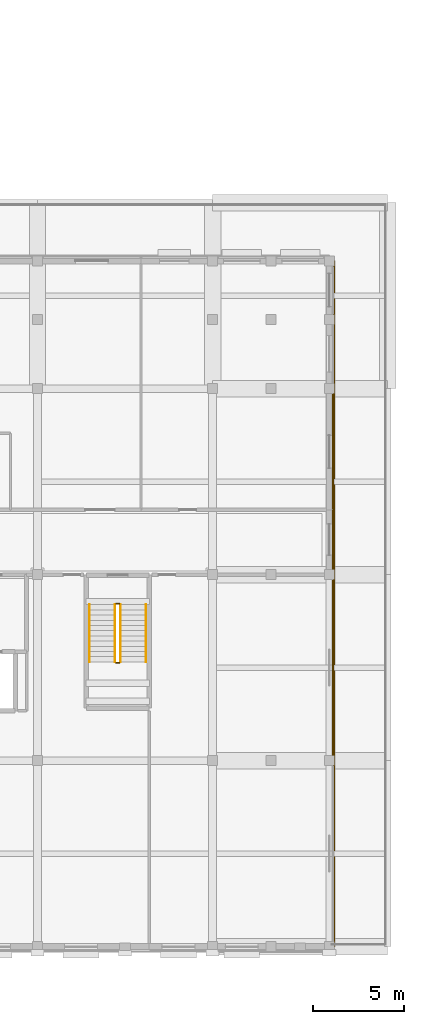
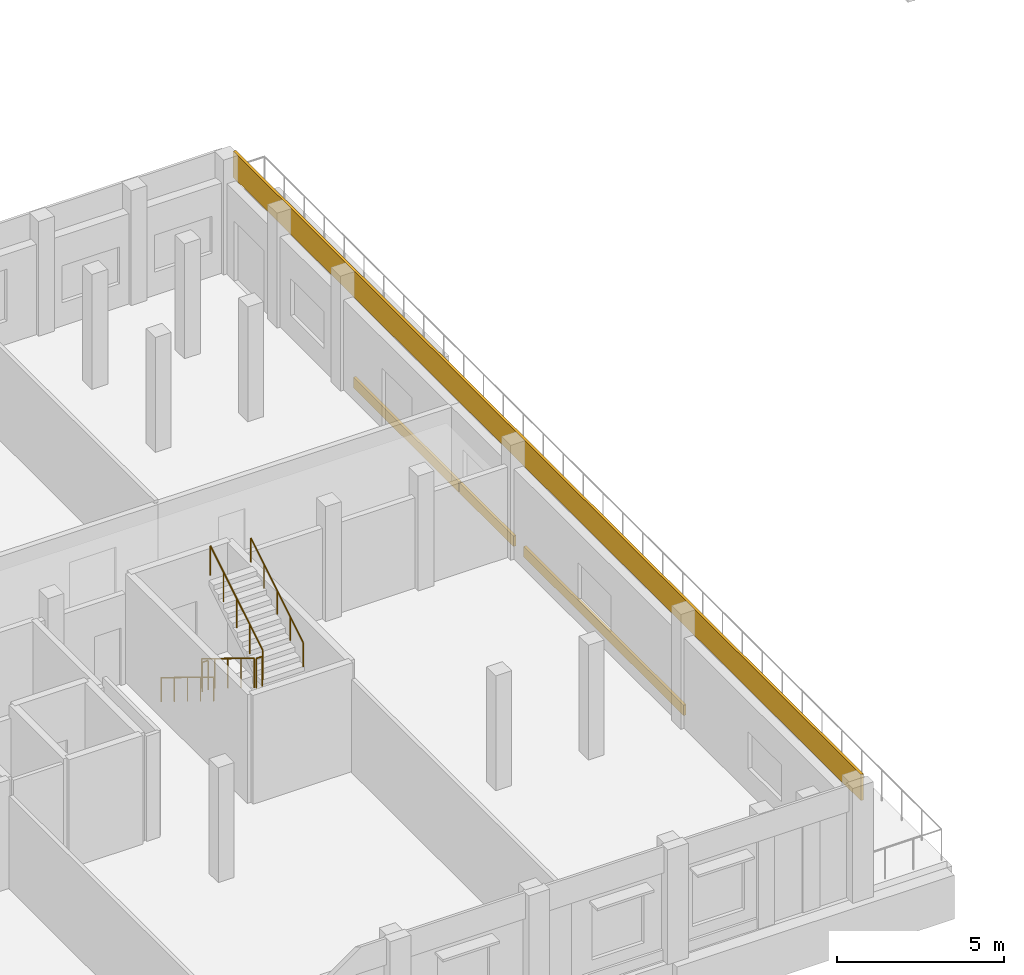
# One storey, part 68 of 70: 6 railings, 4 coverings.
"""IFC4 building model written with IfcOpenShell, lengths in metres."""

import ifcopenshell
import ifcopenshell.guid

model = None  # the IFC model being written
_history = None  # IfcOwnerHistory: only IFC2X3 demands one
_inside = {}  # id of a spatial element -> (the spatial element, [elements in it])
_under = {}  # id of a project, library or spatial element -> (it, [spatial elements below it])
_declared = {}  # id of a project -> (the project, [libraries it declares])
_typed = {}  # id of a type object -> (the type object, [elements of that type])
_made_of = {}  # id of a material, layer set ... -> (it, [elements and type objects made of it])


def new_model(schema):
    """Start an empty IFC model of exactly this schema.

    Asked for "IFC4X3", IfcOpenShell would pick the latest addendum, in which some entities
    have other attributes; the version numbers below select the first issue.
    IFC2X3 requires an IfcOwnerHistory on every rooted entity: one is made here for all.
    """
    global model, _history
    if schema == "IFC4X3":
        model = ifcopenshell.file(schema_version=(4, 3, 0, 0))
    else:
        model = ifcopenshell.file(schema=schema)
    _inside.clear()
    _under.clear()
    _declared.clear()
    _typed.clear()
    _made_of.clear()
    _history = None
    if model.schema == "IFC2X3":
        org = make("IfcOrganization", Name="unknown")
        user = make(
            "IfcPersonAndOrganization",
            ThePerson=make("IfcPerson", FamilyName="unknown"),
            TheOrganization=org,
        )
        app = make(
            "IfcApplication",
            ApplicationDeveloper=org,
            Version="unknown",
            ApplicationFullName="unknown",
            ApplicationIdentifier="unknown",
        )
        _history = make(
            "IfcOwnerHistory",
            OwningUser=user,
            OwningApplication=app,
            ChangeAction="ADDED",
            CreationDate=0,
        )
    return model


def make(cls, **values):
    """One entity of the class cls with the attributes given. An attribute that is None is left unset."""
    return model.create_entity(
        cls, **{name: value for name, value in values.items() if value is not None}
    )


def rooted(cls, **values):
    """An entity with a GlobalId (a new one), such as an element, a storey or a relation."""
    return make(cls, GlobalId=ifcopenshell.guid.new(), OwnerHistory=_history, **values)


def si_unit(unit_type, name, prefix=None):
    """IfcSIUnit, for example si_unit("LENGTHUNIT", "METRE", prefix="MILLI")."""
    return make("IfcSIUnit", UnitType=unit_type, Prefix=prefix, Name=name)


def assignment(units):
    """IfcUnitAssignment: the units of a project."""
    return None if units is None else make("IfcUnitAssignment", Units=units)


def point(xyz):
    """IfcCartesianPoint."""
    return None if xyz is None else make("IfcCartesianPoint", Coordinates=xyz)


def direction(xyz):
    """IfcDirection."""
    return None if xyz is None else make("IfcDirection", DirectionRatios=xyz)


def frame(location, z_axis=None, x_axis=None):
    """IfcAxis2Placement3D, a coordinate frame: its origin and axes. An axis left out is left unset."""
    return make(
        "IfcAxis2Placement3D",
        Location=point(location),
        Axis=direction(z_axis),
        RefDirection=direction(x_axis),
    )


def frame_2d(location, x_axis=None):
    """IfcAxis2Placement2D, a coordinate frame in the plane: its origin and x axis."""
    return make(
        "IfcAxis2Placement2D", Location=point(location), RefDirection=direction(x_axis)
    )


def origin():
    """The frame at (0, 0, 0) with its axes left unset."""
    return frame((0.0, 0.0, 0.0))


def origin_2d():
    """The frame at (0, 0) in the plane with its x axis left unset."""
    return frame_2d((0.0, 0.0))


def place(relative_to, where):
    """IfcLocalPlacement: puts the frame where relative to a parent placement (None: the world)."""
    return make(
        "IfcLocalPlacement", PlacementRelTo=relative_to, RelativePlacement=where
    )


def context(
    kind, dimensions, precision=None, world=None, true_north=None, identifier=None
):
    """IfcGeometricRepresentationContext, for example the 3D "Model" context."""
    return make(
        "IfcGeometricRepresentationContext",
        ContextIdentifier=identifier,
        ContextType=kind,
        CoordinateSpaceDimension=dimensions,
        Precision=precision,
        WorldCoordinateSystem=world,
        TrueNorth=true_north,
    )


def subcontext(parent, identifier, kind, view, scale=None):
    """IfcGeometricRepresentationSubContext, for example "Body" below "Model"."""
    return make(
        "IfcGeometricRepresentationSubContext",
        ContextIdentifier=identifier,
        ContextType=kind,
        ParentContext=parent,
        TargetScale=scale,
        TargetView=view,
    )


def project(units=None, contexts=None):
    """IfcProject with its units and contexts."""
    return rooted(
        "IfcProject",
        Name="project",
        RepresentationContexts=contexts,
        UnitsInContext=assignment(units),
    )


def spatial(cls, under=None, at=None, **own):
    """A site, building, storey or space (cls), placed at a placement, below another one or the project."""
    s = rooted(cls, ObjectPlacement=at, **own)
    if under is not None:
        _under.setdefault(under.id(), (under, []))[1].append(s)
    return s


def profile(cls, at=None, kind="AREA", **sizes):
    """A parametric profile (cls). Its sizes go by their IFC names, for example OverallWidth=200.0."""
    return make(cls, ProfileType=kind, Position=at, **sizes)


def rectangle(**sizes):
    """IfcRectangleProfileDef."""
    return profile("IfcRectangleProfileDef", **sizes)


def circle(**sizes):
    """IfcCircleProfileDef."""
    return profile("IfcCircleProfileDef", **sizes)


def extrude(swept, where, along, depth):
    """IfcExtrudedAreaSolid: the profile swept, set in the frame where, extruded along a direction by depth."""
    return make(
        "IfcExtrudedAreaSolid",
        SweptArea=swept,
        Position=where,
        ExtrudedDirection=direction(along),
        Depth=depth,
    )


def shape(context_of_items, identifier, shape_type, items):
    """IfcShapeRepresentation: the items that make up one representation, for example the "Body"."""
    return make(
        "IfcShapeRepresentation",
        ContextOfItems=context_of_items,
        RepresentationIdentifier=identifier,
        RepresentationType=shape_type,
        Items=items,
    )


def material(Name=None, Category=None):
    """IfcMaterial."""
    return make("IfcMaterial", Name=Name, Category=Category)


def layer(
    of_material, thickness, ventilated=None, Name=None, Category=None, Priority=None
):
    """IfcMaterialLayer: one layer of a wall or slab, of a material (None: an air gap)."""
    return make(
        "IfcMaterialLayer",
        Material=of_material,
        LayerThickness=thickness,
        IsVentilated=ventilated,
        Name=Name,
        Category=Category,
        Priority=Priority,
    )


def layer_set(layers, Name=None):
    """IfcMaterialLayerSet."""
    return make("IfcMaterialLayerSet", MaterialLayers=layers, LayerSetName=Name)


def made_of(thing, what):
    """Note that an element or type object is made of a material, layer set ...; save() writes the relation."""
    if what is not None:
        _made_of.setdefault(what.id(), (what, []))[1].append(thing)
    return thing


def type_object(cls, material=None, **own):
    """A type object (cls), such as IfcWallType, which elements share."""
    return made_of(rooted(cls, **own), material)


def element(
    cls,
    number,
    at=None,
    inside=None,
    cuts=None,
    type_object=None,
    material=None,
    context=None,
    identifier="Body",
    shape_type=None,
    held_by="IfcProductDefinitionShape",
    body=None,
    shapes=None,
    **own,
):
    """One element of the class cls, such as IfcWall. Its Tag is "e" and its number.

    at: its placement. inside: the storey or other place that contains it. cuts: it is an
    opening in that element (IfcRelVoidsElement). A single representation is given by context,
    identifier, shape_type and body (its items); several are given by shapes. held_by: the class
    of the entity that holds the representations. save() writes the other relations.
    """
    e = rooted(cls, Tag="e%d" % number, ObjectPlacement=at, **own)
    if body is not None:
        shapes = [shape(context, identifier, shape_type, body)]
    if shapes is not None:
        e.Representation = make(held_by, Representations=shapes)
    if inside is not None:
        _inside.setdefault(inside.id(), (inside, []))[1].append(e)
    if cuts is not None:
        rooted(
            "IfcRelVoidsElement", RelatingBuildingElement=cuts, RelatedOpeningElement=e
        )
    if type_object is not None:
        _typed.setdefault(type_object.id(), (type_object, []))[1].append(e)
    return made_of(e, material)


def aggregate(whole, parts):
    """IfcRelAggregates: a whole, such as a stair, and the parts it consists of."""
    return rooted("IfcRelAggregates", RelatingObject=whole, RelatedObjects=parts)


def save(model, path):
    """Write the relations noted so far, then the file.

    IfcRelAggregates (storeys below a building ...), IfcRelContainedInSpatialStructure (elements
    in a storey), IfcRelDefinesByType, IfcRelAssociatesMaterial and IfcRelDeclares: one each for
    every whole, place, type object, material and project.
    """
    for whole, parts in _under.values():
        aggregate(whole, parts)
    for where, things in _inside.values():
        rooted(
            "IfcRelContainedInSpatialStructure",
            RelatedElements=things,
            RelatingStructure=where,
        )
    for kind, things in _typed.values():
        rooted("IfcRelDefinesByType", RelatedObjects=things, RelatingType=kind)
    for what, things in _made_of.values():
        rooted("IfcRelAssociatesMaterial", RelatedObjects=things, RelatingMaterial=what)
    for by, libraries in _declared.values():
        rooted("IfcRelDeclares", RelatingContext=by, RelatedDefinitions=libraries)
    model.write(path)


model = new_model("IFC4")

# Units and contexts
model_context = context("Model", 3, precision=1e-05, world=origin(), true_north=direction((0.0, 1.0)))
body_context = subcontext(model_context, "Body", "Model", "MODEL_VIEW")
ifc_project = project(units=[si_unit("LENGTHUNIT", "METRE"), si_unit("AREAUNIT", "SQUARE_METRE"), si_unit("VOLUMEUNIT", "CUBIC_METRE"), si_unit("PLANEANGLEUNIT", "RADIAN"), si_unit("MASSUNIT", "GRAM", prefix="KILO")], contexts=[model_context])

# Site, building, storey
site_placement = place(None, origin())
site = spatial("IfcSite", under=ifc_project, at=site_placement, CompositionType="ELEMENT")
building_placement = place(site_placement, origin())
building = spatial("IfcBuilding", under=site, at=building_placement, Name="Vondelvale Polytechnic", CompositionType="ELEMENT")
storey_placement = place(building_placement, frame((0.0, 0.0, 22.199951171875)))
storey = spatial("IfcBuildingStorey", under=building, at=storey_placement, Name="L05", CompositionType="ELEMENT", Elevation=22.199951171875)

# Coverings
ifc_material_1 = material(Name="Amsterdam School iron-spot clinker clay brickwork", Category="masonry")
ifc_layer_1 = layer(ifc_material_1, 0.090087890625)
ifc_layer_set_1 = layer_set([ifc_layer_1], Name="COV-BRICK-RELIEF")
covering_type = type_object("IfcCoveringType", Name="COV-BRICK-RELIEF", PredefinedType="CLADDING", material=ifc_layer_set_1)
covering_1_placement = place(storey_placement, frame((45.06494140625, 18.800048828125, 3.239990234375), z_axis=(0.0, 0.0, 1.0), x_axis=(0.0, 1.0, 0.0)))
element("IfcCovering", 1, at=covering_1_placement, inside=storey, type_object=covering_type, Name="L05 exterior masonry spandrel band", PredefinedType="CLADDING", context=body_context, shape_type="SweptSolid", body=[
    extrude(rectangle(XDim=37.60009765625, YDim=0.090087890625, at=origin_2d()), origin(), (0.0, 0.0, 1.0), 0.9599609375),
])
covering_2_placement = place(storey_placement, frame((45.0009765625, 15.300048828125, 0.0), z_axis=(0.0, 0.0, 1.0), x_axis=(0.0, -1.0, 0.0)))
element("IfcCovering", 2, at=covering_2_placement, inside=storey, type_object=covering_type, Name="L05 exterior corbelled masonry relief band", PredefinedType="CLADDING", context=body_context, shape_type="SweptSolid", body=[
    extrude(rectangle(XDim=9.587890625, YDim=0.090087890625, at=origin_2d()), origin(), (0.0, 0.0, 1.0), 0.3798828125),
])
covering_3_placement = place(storey_placement, frame((45.0009765625, 22.31298828125, 0.0), z_axis=(0.0, 0.0, 1.0), x_axis=(0.0, -1.0, 0.0)))
element("IfcCovering", 3, at=covering_3_placement, inside=storey, type_object=covering_type, Name="L05 exterior corbelled masonry relief band", PredefinedType="CLADDING", context=body_context, shape_type="SweptSolid", body=[
    extrude(rectangle(XDim=3.214111328125, YDim=0.090087890625, at=origin_2d()), origin(), (0.0, 0.0, 1.0), 0.3798828125),
])
covering_4_placement = place(storey_placement, frame((45.0009765625, 27.136962890625, 0.0), z_axis=(0.0, 0.0, 1.0), x_axis=(0.0, -1.0, 0.0)))
element("IfcCovering", 4, at=covering_4_placement, inside=storey, type_object=covering_type, Name="L05 exterior corbelled masonry relief band", PredefinedType="CLADDING", context=body_context, shape_type="SweptSolid", body=[
    extrude(rectangle(XDim=6.31396484375, YDim=0.090087890625, at=origin_2d()), origin(), (0.0, 0.0, 1.0), 0.3798828125),
])

# Railings
ifc_material_2 = material(Name="Brushed architectural stainless and zinc-coated metal")
ifc_layer_2 = layer(ifc_material_2, 0.050048828125)
ifc_layer_set_2 = layer_set([ifc_layer_2], Name="RL-STAIR-GUARD")
railing_type_1 = type_object("IfcRailingType", Name="RL-STAIR-GUARD", PredefinedType="GUARDRAIL", material=ifc_layer_set_2)
railing_1_placement = place(storey_placement, frame((33.050048828125, 18.75, 0.175048828125)))
element("IfcRailing", 5, at=railing_1_placement, inside=storey, type_object=railing_type_1, Name="L05 ST-04 stair guard 1", PredefinedType="GUARDRAIL", context=body_context, shape_type="SweptSolid", body=[
    extrude(circle(Radius=0.02392578125, at=origin_2d()), frame((0.0, 0.0, 1.076171875), z_axis=(0.0, -0.852166034122, 0.523271488128), x_axis=(1.0, 0.0, 0.0)), (0.0, 0.0, 1.0), 3.678955078125),
    extrude(circle(Radius=0.02099609375, at=origin_2d()), origin(), (0.0, 0.0, 1.0), 1.052001953125),
    extrude(circle(Radius=0.02099609375, at=origin_2d()), frame((0.0, -0.78369140625, 0.481201171875)), (0.0, 0.0, 1.0), 1.052001953125),
    extrude(circle(Radius=0.02099609375, at=origin_2d()), frame((0.0, -1.5673828125, 0.96240234375)), (0.0, 0.0, 1.0), 1.052001953125),
    extrude(circle(Radius=0.02099609375, at=origin_2d()), frame((0.0, -2.351318359375, 1.44384765625)), (0.0, 0.0, 1.0), 1.052001953125),
    extrude(circle(Radius=0.02099609375, at=origin_2d()), frame((0.0, -3.135009765625, 1.925048828125)), (0.0, 0.0, 1.0), 1.052001953125),
])
railing_2_placement = place(storey_placement, frame((33.10009765625, 15.56494140625, 2.10009765625)))
element("IfcRailing", 6, at=railing_2_placement, inside=storey, type_object=railing_type_1, Name="L05 ST-04 stair guard 2", PredefinedType="GUARDRAIL", context=body_context, shape_type="SweptSolid", body=[
    extrude(circle(Radius=0.02392578125, at=origin_2d()), frame((0.0, 0.0, 1.076171875), z_axis=(1.0, 0.0, 0.0), x_axis=(0.0, 1.0, 0.0)), (0.0, 0.0, 1.0), 0.199951171875),
    extrude(circle(Radius=0.02099609375, at=origin_2d()), origin(), (0.0, 0.0, 1.0), 1.052001953125),
    extrude(circle(Radius=0.02099609375, at=origin_2d()), frame((0.199951171875, 0.0, 0.0)), (0.0, 0.0, 1.0), 1.052001953125),
])
railing_3_placement = place(storey_placement, frame((33.35009765625, 15.614990234375, 2.275146484375)))
element("IfcRailing", 7, at=railing_3_placement, inside=storey, type_object=railing_type_1, Name="L05 ST-04 stair guard 3", PredefinedType="GUARDRAIL", context=body_context, shape_type="SweptSolid", body=[
    extrude(circle(Radius=0.02392578125, at=origin_2d()), frame((0.0, 0.0, 1.076171875), z_axis=(0.0, 0.852195625947, 0.523223293744), x_axis=(-1.0, 0.0, 0.0)), (0.0, 0.0, 1.0), 3.6787109375),
    extrude(circle(Radius=0.02099609375, at=origin_2d()), origin(), (0.0, 0.0, 1.0), 1.052001953125),
    extrude(circle(Radius=0.02099609375, at=origin_2d()), frame((0.0, 0.78369140625, 0.481201171875)), (0.0, 0.0, 1.0), 1.052001953125),
    extrude(circle(Radius=0.02099609375, at=origin_2d()), frame((0.0, 1.5673828125, 0.96240234375)), (0.0, 0.0, 1.0), 1.052001953125),
    extrude(circle(Radius=0.02099609375, at=origin_2d()), frame((0.0, 2.351318359375, 1.443603515625)), (0.0, 0.0, 1.0), 1.052001953125),
    extrude(circle(Radius=0.02099609375, at=origin_2d()), frame((0.0, 3.135009765625, 1.9248046875)), (0.0, 0.0, 1.0), 1.052001953125),
])
railing_4_placement = place(storey_placement, frame((33.10009765625, 18.800048828125, 0.0)))
element("IfcRailing", 8, at=railing_4_placement, inside=storey, type_object=railing_type_1, Name="L05 ST-04 stair guard 4", PredefinedType="GUARDRAIL", context=body_context, shape_type="SweptSolid", body=[
    extrude(circle(Radius=0.02392578125, at=origin_2d()), frame((0.0, 0.0, 1.076171875), z_axis=(1.0, 0.0, 0.0), x_axis=(0.0, 1.0, 0.0)), (0.0, 0.0, 1.0), 0.199951171875),
    extrude(circle(Radius=0.02099609375, at=origin_2d()), origin(), (0.0, 0.0, 1.0), 1.052001953125),
    extrude(circle(Radius=0.02099609375, at=origin_2d()), frame((0.199951171875, 0.0, 0.0)), (0.0, 0.0, 1.0), 1.052001953125),
])
ifc_layer_3 = layer(ifc_material_2, 0.048095703125)
ifc_layer_set_3 = layer_set([ifc_layer_3], Name="RL-STAIR-HANDRAIL")
railing_type_2 = type_object("IfcRailingType", Name="RL-STAIR-HANDRAIL", PredefinedType="HANDRAIL", material=ifc_layer_set_3)
railing_5_placement = place(storey_placement, frame((31.64990234375, 18.75, 0.175048828125)))
element("IfcRailing", 9, at=railing_5_placement, inside=storey, type_object=railing_type_2, Name="L05 ST-04 stair handrail 1", PredefinedType="HANDRAIL", context=body_context, shape_type="SweptSolid", body=[
    extrude(circle(Radius=0.02392578125, at=origin_2d()), frame((0.0, 0.0, 0.8759765625), z_axis=(0.0, -0.852166034122, 0.523271488128), x_axis=(1.0, 0.0, 0.0)), (0.0, 0.0, 1.0), 3.678955078125),
    extrude(circle(Radius=0.02099609375, at=origin_2d()), origin(), (0.0, 0.0, 1.0), 0.851806640625),
    extrude(circle(Radius=0.02099609375, at=origin_2d()), frame((0.0, -0.78369140625, 0.481201171875)), (0.0, 0.0, 1.0), 0.851806640625),
    extrude(circle(Radius=0.02099609375, at=origin_2d()), frame((0.0, -1.5673828125, 0.96240234375)), (0.0, 0.0, 1.0), 0.851806640625),
    extrude(circle(Radius=0.02099609375, at=origin_2d()), frame((0.0, -2.351318359375, 1.44384765625)), (0.0, 0.0, 1.0), 0.851806640625),
    extrude(circle(Radius=0.02099609375, at=origin_2d()), frame((0.0, -3.135009765625, 1.925048828125)), (0.0, 0.0, 1.0), 0.851806640625),
])
railing_6_placement = place(storey_placement, frame((34.75, 15.614990234375, 2.275146484375)))
element("IfcRailing", 10, at=railing_6_placement, inside=storey, type_object=railing_type_2, Name="L05 ST-04 stair handrail 2", PredefinedType="HANDRAIL", context=body_context, shape_type="SweptSolid", body=[
    extrude(circle(Radius=0.02392578125, at=origin_2d()), frame((0.0, 0.0, 0.8759765625), z_axis=(0.0, 0.852195625947, 0.523223293744), x_axis=(-1.0, 0.0, 0.0)), (0.0, 0.0, 1.0), 3.6787109375),
    extrude(circle(Radius=0.02099609375, at=origin_2d()), origin(), (0.0, 0.0, 1.0), 0.851806640625),
    extrude(circle(Radius=0.02099609375, at=origin_2d()), frame((0.0, 0.78369140625, 0.481201171875)), (0.0, 0.0, 1.0), 0.851806640625),
    extrude(circle(Radius=0.02099609375, at=origin_2d()), frame((0.0, 1.5673828125, 0.96240234375)), (0.0, 0.0, 1.0), 0.851806640625),
    extrude(circle(Radius=0.02099609375, at=origin_2d()), frame((0.0, 2.351318359375, 1.443603515625)), (0.0, 0.0, 1.0), 0.851806640625),
    extrude(circle(Radius=0.02099609375, at=origin_2d()), frame((0.0, 3.135009765625, 1.9248046875)), (0.0, 0.0, 1.0), 0.851806640625),
])

save(model, "model.ifc")
